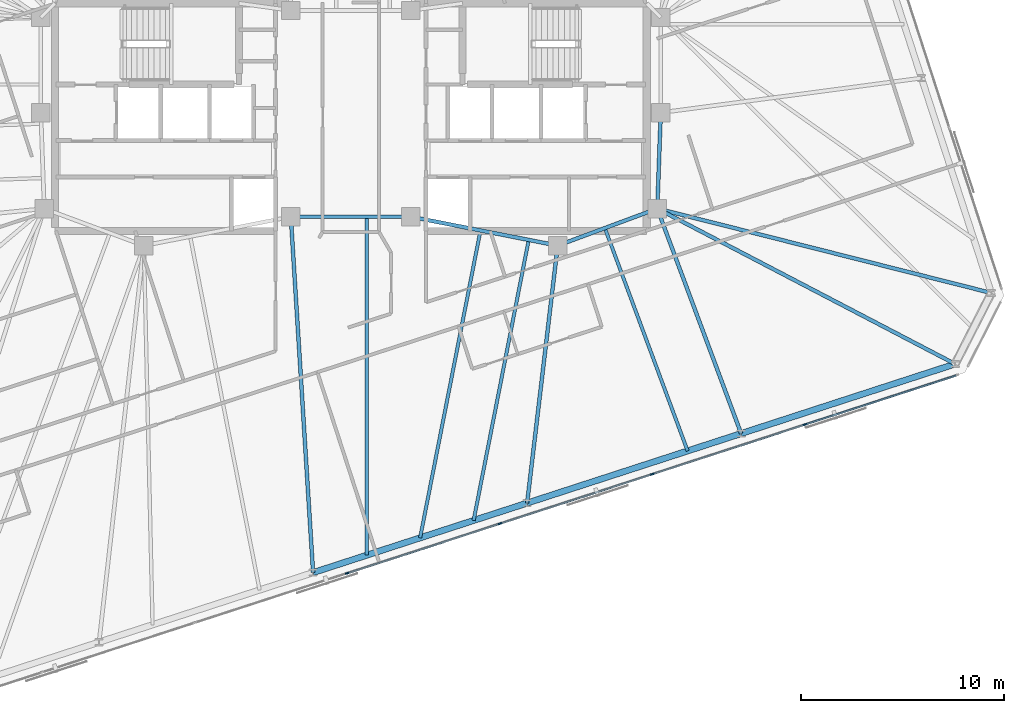
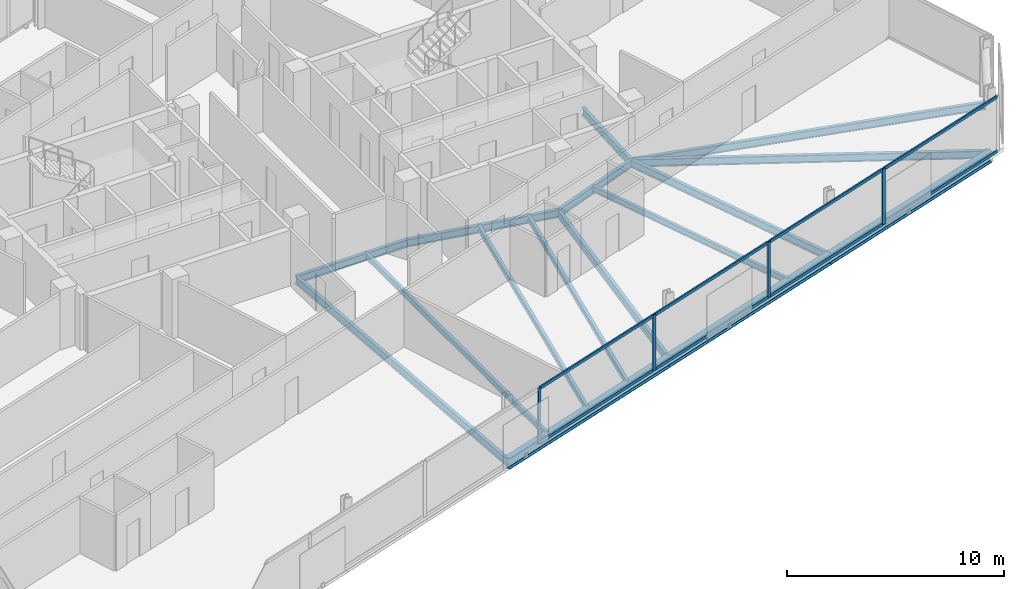
# One storey, part 7 of 19: 16 beams, 12 members, 1 element without a shape of its own.
"""IFC4 building model written with IfcOpenShell, lengths in metres."""

import ifcopenshell
import ifcopenshell.guid

model = None  # the IFC model being written
_history = None  # IfcOwnerHistory: only IFC2X3 demands one
_inside = {}  # id of a spatial element -> (the spatial element, [elements in it])
_under = {}  # id of a project, library or spatial element -> (it, [spatial elements below it])
_declared = {}  # id of a project -> (the project, [libraries it declares])
_typed = {}  # id of a type object -> (the type object, [elements of that type])
_made_of = {}  # id of a material, layer set ... -> (it, [elements and type objects made of it])


def new_model(schema):
    """Start an empty IFC model of exactly this schema.

    Asked for "IFC4X3", IfcOpenShell would pick the latest addendum, in which some entities
    have other attributes; the version numbers below select the first issue.
    IFC2X3 requires an IfcOwnerHistory on every rooted entity: one is made here for all.
    """
    global model, _history
    if schema == "IFC4X3":
        model = ifcopenshell.file(schema_version=(4, 3, 0, 0))
    else:
        model = ifcopenshell.file(schema=schema)
    _inside.clear()
    _under.clear()
    _declared.clear()
    _typed.clear()
    _made_of.clear()
    _history = None
    if model.schema == "IFC2X3":
        org = make("IfcOrganization", Name="unknown")
        user = make(
            "IfcPersonAndOrganization",
            ThePerson=make("IfcPerson", FamilyName="unknown"),
            TheOrganization=org,
        )
        app = make(
            "IfcApplication",
            ApplicationDeveloper=org,
            Version="unknown",
            ApplicationFullName="unknown",
            ApplicationIdentifier="unknown",
        )
        _history = make(
            "IfcOwnerHistory",
            OwningUser=user,
            OwningApplication=app,
            ChangeAction="ADDED",
            CreationDate=0,
        )
    return model


def make(cls, **values):
    """One entity of the class cls with the attributes given. An attribute that is None is left unset."""
    return model.create_entity(
        cls, **{name: value for name, value in values.items() if value is not None}
    )


def rooted(cls, **values):
    """An entity with a GlobalId (a new one), such as an element, a storey or a relation."""
    return make(cls, GlobalId=ifcopenshell.guid.new(), OwnerHistory=_history, **values)


def si_unit(unit_type, name, prefix=None):
    """IfcSIUnit, for example si_unit("LENGTHUNIT", "METRE", prefix="MILLI")."""
    return make("IfcSIUnit", UnitType=unit_type, Prefix=prefix, Name=name)


def assignment(units):
    """IfcUnitAssignment: the units of a project."""
    return None if units is None else make("IfcUnitAssignment", Units=units)


def point(xyz):
    """IfcCartesianPoint."""
    return None if xyz is None else make("IfcCartesianPoint", Coordinates=xyz)


def direction(xyz):
    """IfcDirection."""
    return None if xyz is None else make("IfcDirection", DirectionRatios=xyz)


def frame(location, z_axis=None, x_axis=None):
    """IfcAxis2Placement3D, a coordinate frame: its origin and axes. An axis left out is left unset."""
    return make(
        "IfcAxis2Placement3D",
        Location=point(location),
        Axis=direction(z_axis),
        RefDirection=direction(x_axis),
    )


def frame_2d(location, x_axis=None):
    """IfcAxis2Placement2D, a coordinate frame in the plane: its origin and x axis."""
    return make(
        "IfcAxis2Placement2D", Location=point(location), RefDirection=direction(x_axis)
    )


def origin():
    """The frame at (0, 0, 0) with its axes left unset."""
    return frame((0.0, 0.0, 0.0))


def origin_2d():
    """The frame at (0, 0) in the plane with its x axis left unset."""
    return frame_2d((0.0, 0.0))


def place(relative_to, where):
    """IfcLocalPlacement: puts the frame where relative to a parent placement (None: the world)."""
    return make(
        "IfcLocalPlacement", PlacementRelTo=relative_to, RelativePlacement=where
    )


def context(
    kind, dimensions, precision=None, world=None, true_north=None, identifier=None
):
    """IfcGeometricRepresentationContext, for example the 3D "Model" context."""
    return make(
        "IfcGeometricRepresentationContext",
        ContextIdentifier=identifier,
        ContextType=kind,
        CoordinateSpaceDimension=dimensions,
        Precision=precision,
        WorldCoordinateSystem=world,
        TrueNorth=true_north,
    )


def subcontext(parent, identifier, kind, view, scale=None):
    """IfcGeometricRepresentationSubContext, for example "Body" below "Model"."""
    return make(
        "IfcGeometricRepresentationSubContext",
        ContextIdentifier=identifier,
        ContextType=kind,
        ParentContext=parent,
        TargetScale=scale,
        TargetView=view,
    )


def project(units=None, contexts=None):
    """IfcProject with its units and contexts."""
    return rooted(
        "IfcProject",
        Name="project",
        RepresentationContexts=contexts,
        UnitsInContext=assignment(units),
    )


def spatial(cls, under=None, at=None, **own):
    """A site, building, storey or space (cls), placed at a placement, below another one or the project."""
    s = rooted(cls, ObjectPlacement=at, **own)
    if under is not None:
        _under.setdefault(under.id(), (under, []))[1].append(s)
    return s


def profile(cls, at=None, kind="AREA", **sizes):
    """A parametric profile (cls). Its sizes go by their IFC names, for example OverallWidth=200.0."""
    return make(cls, ProfileType=kind, Position=at, **sizes)


def rectangle(**sizes):
    """IfcRectangleProfileDef."""
    return profile("IfcRectangleProfileDef", **sizes)


def i_section(**sizes):
    """IfcIShapeProfileDef."""
    return profile("IfcIShapeProfileDef", **sizes)


def extrude(swept, where, along, depth):
    """IfcExtrudedAreaSolid: the profile swept, set in the frame where, extruded along a direction by depth."""
    return make(
        "IfcExtrudedAreaSolid",
        SweptArea=swept,
        Position=where,
        ExtrudedDirection=direction(along),
        Depth=depth,
    )


def shape(context_of_items, identifier, shape_type, items):
    """IfcShapeRepresentation: the items that make up one representation, for example the "Body"."""
    return make(
        "IfcShapeRepresentation",
        ContextOfItems=context_of_items,
        RepresentationIdentifier=identifier,
        RepresentationType=shape_type,
        Items=items,
    )


def material(Name=None, Category=None):
    """IfcMaterial."""
    return make("IfcMaterial", Name=Name, Category=Category)


def material_profile(
    of_material, cross_section, Name=None, Category=None, Priority=None
):
    """IfcMaterialProfile: a cross section and its material."""
    return make(
        "IfcMaterialProfile",
        Name=Name,
        Material=of_material,
        Profile=cross_section,
        Priority=Priority,
        Category=Category,
    )


def profile_set(profiles, Name=None, composite=None):
    """IfcMaterialProfileSet."""
    return make(
        "IfcMaterialProfileSet",
        Name=Name,
        MaterialProfiles=profiles,
        CompositeProfile=composite,
    )


def made_of(thing, what):
    """Note that an element or type object is made of a material, layer set ...; save() writes the relation."""
    if what is not None:
        _made_of.setdefault(what.id(), (what, []))[1].append(thing)
    return thing


def type_object(cls, material=None, **own):
    """A type object (cls), such as IfcWallType, which elements share."""
    return made_of(rooted(cls, **own), material)


def element(
    cls,
    number,
    at=None,
    inside=None,
    cuts=None,
    type_object=None,
    material=None,
    context=None,
    identifier="Body",
    shape_type=None,
    held_by="IfcProductDefinitionShape",
    body=None,
    shapes=None,
    **own,
):
    """One element of the class cls, such as IfcWall. Its Tag is "e" and its number.

    at: its placement. inside: the storey or other place that contains it. cuts: it is an
    opening in that element (IfcRelVoidsElement). A single representation is given by context,
    identifier, shape_type and body (its items); several are given by shapes. held_by: the class
    of the entity that holds the representations. save() writes the other relations.
    """
    e = rooted(cls, Tag="e%d" % number, ObjectPlacement=at, **own)
    if body is not None:
        shapes = [shape(context, identifier, shape_type, body)]
    if shapes is not None:
        e.Representation = make(held_by, Representations=shapes)
    if inside is not None:
        _inside.setdefault(inside.id(), (inside, []))[1].append(e)
    if cuts is not None:
        rooted(
            "IfcRelVoidsElement", RelatingBuildingElement=cuts, RelatedOpeningElement=e
        )
    if type_object is not None:
        _typed.setdefault(type_object.id(), (type_object, []))[1].append(e)
    return made_of(e, material)


def aggregate(whole, parts):
    """IfcRelAggregates: a whole, such as a stair, and the parts it consists of."""
    return rooted("IfcRelAggregates", RelatingObject=whole, RelatedObjects=parts)


def save(model, path):
    """Write the relations noted so far, then the file.

    IfcRelAggregates (storeys below a building ...), IfcRelContainedInSpatialStructure (elements
    in a storey), IfcRelDefinesByType, IfcRelAssociatesMaterial and IfcRelDeclares: one each for
    every whole, place, type object, material and project.
    """
    for whole, parts in _under.values():
        aggregate(whole, parts)
    for where, things in _inside.values():
        rooted(
            "IfcRelContainedInSpatialStructure",
            RelatedElements=things,
            RelatingStructure=where,
        )
    for kind, things in _typed.values():
        rooted("IfcRelDefinesByType", RelatedObjects=things, RelatingType=kind)
    for what, things in _made_of.values():
        rooted("IfcRelAssociatesMaterial", RelatedObjects=things, RelatingMaterial=what)
    for by, libraries in _declared.values():
        rooted("IfcRelDeclares", RelatingContext=by, RelatedDefinitions=libraries)
    model.write(path)


model = new_model("IFC4")

# Units and contexts
model_context = context("Model", 3, precision=1e-05, world=origin(), true_north=direction((0.0, 1.0)))
body_context = subcontext(model_context, "Body", "Model", "MODEL_VIEW")
ifc_project = project(units=[si_unit("LENGTHUNIT", "METRE"), si_unit("AREAUNIT", "SQUARE_METRE"), si_unit("VOLUMEUNIT", "CUBIC_METRE"), si_unit("PLANEANGLEUNIT", "RADIAN"), si_unit("MASSUNIT", "GRAM", prefix="KILO")], contexts=[model_context])

# Site, building, storey
site_placement = place(None, origin())
site = spatial("IfcSite", under=ifc_project, at=site_placement, CompositionType="ELEMENT")
building_placement = place(site_placement, origin())
building = spatial("IfcBuilding", under=site, at=building_placement, Name="Menara Jurai Vektor", CompositionType="ELEMENT")
storey_placement = place(building_placement, frame((0.0, 0.0, 210.89990234375)))
storey = spatial("IfcBuildingStorey", under=building, at=storey_placement, Name="L55", CompositionType="ELEMENT", Elevation=210.89990234375)

# Curtain wall, members
ifc_material_1 = material(Name="Anodised Pale Aluminium & Low-E Double Glazing", Category="aluminium")
curtain_wall_type = type_object("IfcCurtainWallType", Name="CW-BLK4", PredefinedType="NOTDEFINED", material=ifc_material_1)
curtain_wall_placement = place(storey_placement, origin())
curtain_wall = element("IfcCurtainWall", 1, at=curtain_wall_placement, inside=storey, type_object=curtain_wall_type, Name="Unitised Curtain Wall L55 F01", PredefinedType="NOTDEFINED")
ifc_material_2 = material(Name="Anodised Pale Aluminium Mullion", Category="aluminium")
ifc_material_profile_1 = material_profile(ifc_material_2, rectangle(XDim=0.080078125, YDim=0.18994140625, at=origin_2d()), Name="ALU MUL 80x190")
ifc_profile_set_1 = profile_set([ifc_material_profile_1], Name="Anodised Pale Aluminium Mullion")
member_type_1 = type_object("IfcMemberType", Name="CW-BLK4-MUL", PredefinedType="MULLION", material=ifc_profile_set_1)
member_1_placement = place(storey_placement, frame((-0.17236328125, -22.4404296875, 0.0), z_axis=(0.0, 0.0, 1.0), x_axis=(-0.309017344167, 0.951056402641, 0.0)))
member_1 = element("IfcMember", 2, at=member_1_placement, type_object=member_type_1, Name="CW-04 mullion 4", PredefinedType="MULLION", context=body_context, shape_type="SweptSolid", body=[
    extrude(rectangle(XDim=0.080078125, YDim=0.18994140625, at=origin_2d()), origin(), (0.0, 0.0, 1.0), 3.125),
])
member_2_placement = place(storey_placement, frame((7.3330078125, -20.001953125, 0.0), z_axis=(0.0, 0.0, 1.0), x_axis=(-0.309017344167, 0.951056402641, 0.0)))
member_2 = element("IfcMember", 3, at=member_2_placement, type_object=member_type_1, Name="CW-04 mullion 5", PredefinedType="MULLION", context=body_context, shape_type="SweptSolid", body=[
    extrude(rectangle(XDim=0.080078125, YDim=0.18994140625, at=origin_2d()), origin(), (0.0, 0.0, 1.0), 3.125),
])
member_3_placement = place(storey_placement, frame((14.838134765625, -17.563232421875, 0.0), z_axis=(0.0, 0.0, 1.0), x_axis=(-0.309017344167, 0.951056402641, 0.0)))
member_3 = element("IfcMember", 4, at=member_3_placement, type_object=member_type_1, Name="CW-04 mullion 6", PredefinedType="MULLION", context=body_context, shape_type="SweptSolid", body=[
    extrude(rectangle(XDim=0.080078125, YDim=0.18994140625, at=origin_2d()), origin(), (0.0, 0.0, 1.0), 3.125),
])
member_4_placement = place(storey_placement, frame((22.34326171875, -15.124755859375, 0.0), z_axis=(0.0, 0.0, 1.0), x_axis=(-0.309017344167, 0.951056402641, 0.0)))
member_4 = element("IfcMember", 5, at=member_4_placement, type_object=member_type_1, Name="CW-04 mullion 7", PredefinedType="MULLION", context=body_context, shape_type="SweptSolid", body=[
    extrude(rectangle(XDim=0.080078125, YDim=0.18994140625, at=origin_2d()), origin(), (0.0, 0.0, 1.0), 3.125),
])
ifc_material_3 = material(Name="Anodised Pale Aluminium Transom", Category="aluminium")
ifc_material_profile_2 = material_profile(ifc_material_3, rectangle(XDim=0.080078125, YDim=0.1650390625, at=origin_2d()), Name="ALU TRN 80x165")
ifc_profile_set_2 = profile_set([ifc_material_profile_2], Name="Anodised Pale Aluminium Transom")
member_type_2 = type_object("IfcMemberType", Name="CW-BLK4-TRN", PredefinedType="USERDEFINED", material=ifc_profile_set_2)
member_5_placement = place(storey_placement, frame((-0.13427734375, -22.427978515625, 0.0400390625), z_axis=(0.951059330237, 0.309008333817, 0.0), x_axis=(-0.309008333817, 0.951059330237, 0.0)))
member_5 = element("IfcMember", 6, at=member_5_placement, type_object=member_type_2, Name="CW-04 transom 4.1", ObjectType="TRANSOM", PredefinedType="USERDEFINED", context=body_context, shape_type="SweptSolid", body=[
    extrude(rectangle(XDim=0.080078125, YDim=0.1650390625, at=origin_2d()), origin(), (0.0, 0.0, 1.0), 7.8115234375),
])
member_6_placement = place(storey_placement, frame((-0.13427734375, -22.427978515625, 3.085205078125), z_axis=(0.951059330237, 0.309008333817, 0.0), x_axis=(-0.309008333817, 0.951059330237, 0.0)))
member_6 = element("IfcMember", 7, at=member_6_placement, type_object=member_type_2, Name="CW-04 transom 4.2", ObjectType="TRANSOM", PredefinedType="USERDEFINED", context=body_context, shape_type="SweptSolid", body=[
    extrude(rectangle(XDim=0.080078125, YDim=0.1650390625, at=origin_2d()), origin(), (0.0, 0.0, 1.0), 7.8115234375),
])
member_7_placement = place(storey_placement, frame((7.37109375, -19.989501953125, 0.0400390625), z_axis=(0.95105634578, 0.309017519167, 0.0), x_axis=(-0.309017519167, 0.95105634578, 0.0)))
member_7 = element("IfcMember", 8, at=member_7_placement, type_object=member_type_2, Name="CW-04 transom 5.1", ObjectType="TRANSOM", PredefinedType="USERDEFINED", context=body_context, shape_type="SweptSolid", body=[
    extrude(rectangle(XDim=0.080078125, YDim=0.1650390625, at=origin_2d()), origin(), (0.0, 0.0, 1.0), 7.811279296875),
])
member_8_placement = place(storey_placement, frame((7.37109375, -19.989501953125, 3.085205078125), z_axis=(0.95105634578, 0.309017519167, 0.0), x_axis=(-0.309017519167, 0.95105634578, 0.0)))
member_8 = element("IfcMember", 9, at=member_8_placement, type_object=member_type_2, Name="CW-04 transom 5.2", ObjectType="TRANSOM", PredefinedType="USERDEFINED", context=body_context, shape_type="SweptSolid", body=[
    extrude(rectangle(XDim=0.080078125, YDim=0.1650390625, at=origin_2d()), origin(), (0.0, 0.0, 1.0), 7.811279296875),
])
member_9_placement = place(storey_placement, frame((14.876220703125, -17.551025390625, 0.0400390625), z_axis=(0.95104715984, 0.309045789099, 0.0), x_axis=(-0.309045789099, 0.95104715984, 0.0)))
member_9 = element("IfcMember", 10, at=member_9_placement, type_object=member_type_2, Name="CW-04 transom 6.1", ObjectType="TRANSOM", PredefinedType="USERDEFINED", context=body_context, shape_type="SweptSolid", body=[
    extrude(rectangle(XDim=0.080078125, YDim=0.1650390625, at=origin_2d()), origin(), (0.0, 0.0, 1.0), 7.811279296875),
])
member_10_placement = place(storey_placement, frame((14.876220703125, -17.551025390625, 3.085205078125), z_axis=(0.95104715984, 0.309045789099, 0.0), x_axis=(-0.309045789099, 0.95104715984, 0.0)))
member_10 = element("IfcMember", 11, at=member_10_placement, type_object=member_type_2, Name="CW-04 transom 6.2", ObjectType="TRANSOM", PredefinedType="USERDEFINED", context=body_context, shape_type="SweptSolid", body=[
    extrude(rectangle(XDim=0.080078125, YDim=0.1650390625, at=origin_2d()), origin(), (0.0, 0.0, 1.0), 7.811279296875),
])
member_11_placement = place(storey_placement, frame((22.38134765625, -15.1123046875, 0.0400390625), z_axis=(0.951062230089, 0.308999408573, 0.0), x_axis=(-0.308999408573, 0.951062230089, 0.0)))
member_11 = element("IfcMember", 12, at=member_11_placement, type_object=member_type_2, Name="CW-04 transom 7.1", ObjectType="TRANSOM", PredefinedType="USERDEFINED", context=body_context, shape_type="SweptSolid", body=[
    extrude(rectangle(XDim=0.080078125, YDim=0.1650390625, at=origin_2d()), origin(), (0.0, 0.0, 1.0), 7.771484375),
])
member_12_placement = place(storey_placement, frame((22.38134765625, -15.1123046875, 3.085205078125), z_axis=(0.951062230089, 0.308999408573, 0.0), x_axis=(-0.308999408573, 0.951062230089, 0.0)))
member_12 = element("IfcMember", 13, at=member_12_placement, type_object=member_type_2, Name="CW-04 transom 7.2", ObjectType="TRANSOM", PredefinedType="USERDEFINED", context=body_context, shape_type="SweptSolid", body=[
    extrude(rectangle(XDim=0.080078125, YDim=0.1650390625, at=origin_2d()), origin(), (0.0, 0.0, 1.0), 7.771484375),
])
aggregate(curtain_wall, [member_1, member_2, member_3, member_4, member_5, member_6, member_7, member_8, member_9, member_10, member_11, member_12])

# Beams
ifc_material_4 = material(Name="Steel S355", Category="steel")
ifc_material_profile_3 = material_profile(ifc_material_4, i_section(OverallWidth=0.18505859375, OverallDepth=0.429931640625, WebThickness=0.010986328125, FlangeThickness=0.01806640625, at=origin_2d()), Name="PG 430x185x76")
ifc_profile_set_3 = profile_set([ifc_material_profile_3], Name="Steel S355")
beam_type_1 = type_object("IfcBeamType", Name="STR-BM-430", PredefinedType="BEAM", material=ifc_profile_set_3)
beam_1_placement = place(storey_placement, frame((15.080078125, -4.5, -0.43994140625), z_axis=(0.035977314146, 0.999352606874, 0.0), x_axis=(-0.999352606874, 0.035977314146, 0.0)))
element("IfcBeam", 14, at=beam_1_placement, inside=storey, type_object=beam_type_1, Name="Core Ring Header Girder L55-CHE-E2", PredefinedType="BEAM", context=body_context, shape_type="SweptSolid", body=[
    extrude(i_section(OverallWidth=0.18505859375, OverallDepth=0.429931640625, WebThickness=0.010986328125, FlangeThickness=0.01806640625, at=origin_2d()), origin(), (0.0, 0.0, 1.0), 4.72314453125),
])
beam_2_placement = place(storey_placement, frame((10.179931640625, -6.320068359375, -0.43994140625), z_axis=(0.937424400887, 0.348188874925, 0.0), x_axis=(-0.348188874925, 0.937424400887, 0.0)))
element("IfcBeam", 15, at=beam_2_placement, inside=storey, type_object=beam_type_1, Name="Core Ring Header Girder L55-CHE-S1", PredefinedType="BEAM", context=body_context, shape_type="SweptSolid", body=[
    extrude(i_section(OverallWidth=0.18505859375, OverallDepth=0.429931640625, WebThickness=0.010986328125, FlangeThickness=0.01806640625, at=origin_2d()), origin(), (0.0, 0.0, 1.0), 5.227294921875),
])
beam_3_placement = place(storey_placement, frame((2.949951171875, -4.89990234375, -0.43994140625), z_axis=(0.981249044334, -0.192744164614, 0.0), x_axis=(0.192744164614, 0.981249044334, 0.0)))
element("IfcBeam", 16, at=beam_3_placement, inside=storey, type_object=beam_type_1, Name="Core Ring Header Girder L55-CHE-S2", PredefinedType="BEAM", context=body_context, shape_type="SweptSolid", body=[
    extrude(i_section(OverallWidth=0.18505859375, OverallDepth=0.429931640625, WebThickness=0.010986328125, FlangeThickness=0.01806640625, at=origin_2d()), origin(), (0.0, 0.0, 1.0), 7.3681640625),
])
beam_4_placement = place(storey_placement, frame((-2.949951171875, -4.89990234375, -0.43994140625), z_axis=(1.0, 0.0, 0.0), x_axis=(0.0, 1.0, 0.0)))
element("IfcBeam", 17, at=beam_4_placement, inside=storey, type_object=beam_type_1, Name="Core Ring Header Girder L55-CC-1", PredefinedType="BEAM", context=body_context, shape_type="SweptSolid", body=[
    extrude(i_section(OverallWidth=0.18505859375, OverallDepth=0.429931640625, WebThickness=0.010986328125, FlangeThickness=0.01806640625, at=origin_2d()), origin(), (0.0, 0.0, 1.0), 5.89990234375),
])
beam_5_placement = place(storey_placement, frame((-1.854248046875, -22.40869140625, -0.43994140625), z_axis=(-0.062457995419, 0.998047593458, 0.0), x_axis=(-0.998047593458, -0.062457995419, 0.0)))
element("IfcBeam", 18, at=beam_5_placement, inside=storey, type_object=beam_type_1, Name="Radial Floor Girder L55-S3", PredefinedType="BEAM", context=body_context, shape_type="SweptSolid", body=[
    extrude(i_section(OverallWidth=0.18505859375, OverallDepth=0.429931640625, WebThickness=0.010986328125, FlangeThickness=0.01806640625, at=origin_2d()), origin(), (0.0, 0.0, 1.0), 17.54296875),
])
beam_6_placement = place(storey_placement, frame((8.675048828125, -18.987548828125, -0.43994140625), z_axis=(0.117969360513, 0.99301723549, 0.0), x_axis=(-0.99301723549, 0.117969360513, 0.0)))
element("IfcBeam", 19, at=beam_6_placement, inside=storey, type_object=beam_type_1, Name="Radial Floor Girder L55-S4", PredefinedType="BEAM", context=body_context, shape_type="SweptSolid", body=[
    extrude(i_section(OverallWidth=0.18505859375, OverallDepth=0.429931640625, WebThickness=0.010986328125, FlangeThickness=0.01806640625, at=origin_2d()), origin(), (0.0, 0.0, 1.0), 12.756591796875),
])
beam_7_placement = place(storey_placement, frame((19.204345703125, -15.56640625, -0.43994140625), z_axis=(-0.349219718154, 0.93704086808, 0.0), x_axis=(-0.93704086808, -0.349219718154, 0.0)))
element("IfcBeam", 20, at=beam_7_placement, inside=storey, type_object=beam_type_1, Name="Radial Floor Girder L55-S5", PredefinedType="BEAM", context=body_context, shape_type="SweptSolid", body=[
    extrude(i_section(OverallWidth=0.18505859375, OverallDepth=0.429931640625, WebThickness=0.010986328125, FlangeThickness=0.01806640625, at=origin_2d()), origin(), (0.0, 0.0, 1.0), 11.81005859375),
])
beam_8_placement = place(storey_placement, frame((29.7333984375, -12.14501953125, -0.43994140625), z_axis=(-0.886589587068, 0.462556919851, 0.0), x_axis=(-0.462556919851, -0.886589587068, 0.0)))
element("IfcBeam", 21, at=beam_8_placement, inside=storey, type_object=beam_type_1, Name="Radial Floor Girder L55-S6", PredefinedType="BEAM", context=body_context, shape_type="SweptSolid", body=[
    extrude(i_section(OverallWidth=0.18505859375, OverallDepth=0.429931640625, WebThickness=0.010986328125, FlangeThickness=0.01806640625, at=origin_2d()), origin(), (0.0, 0.0, 1.0), 16.52783203125),
])
beam_9_placement = place(storey_placement, frame((31.513427734375, -8.652099609375, -0.43994140625), z_axis=(-0.969531956771, 0.244964864418, 0.0), x_axis=(-0.244964864418, -0.969531956771, 0.0)))
element("IfcBeam", 22, at=beam_9_placement, inside=storey, type_object=beam_type_1, Name="Radial Floor Girder L55-E1", PredefinedType="BEAM", context=body_context, shape_type="SweptSolid", body=[
    extrude(i_section(OverallWidth=0.18505859375, OverallDepth=0.429931640625, WebThickness=0.010986328125, FlangeThickness=0.01806640625, at=origin_2d()), origin(), (0.0, 0.0, 1.0), 16.94970703125),
])
ifc_material_profile_4 = material_profile(ifc_material_4, i_section(OverallWidth=0.1650390625, OverallDepth=0.330078125, WebThickness=0.009033203125, FlangeThickness=0.013916015625, at=origin_2d()), Name="PG 330x165x46")
ifc_profile_set_4 = profile_set([ifc_material_profile_4], Name="Steel S355")
beam_type_2 = type_object("IfcBeamType", Name="STR-JS-330", PredefinedType="JOIST", material=ifc_profile_set_4)
beam_10_placement = place(storey_placement, frame((0.778076171875, -21.55322265625, -0.389892578125), z_axis=(0.0, 1.0, 0.0), x_axis=(-1.0, 0.0, 0.0)))
element("IfcBeam", 23, at=beam_10_placement, inside=storey, type_object=beam_type_2, Name="Radial Secondary Floor Joist L55-JS05", PredefinedType="JOIST", context=body_context, shape_type="SweptSolid", body=[
    extrude(i_section(OverallWidth=0.1650390625, OverallDepth=0.330078125, WebThickness=0.009033203125, FlangeThickness=0.013916015625, at=origin_2d()), origin(), (0.0, 0.0, 1.0), 16.6533203125),
])
beam_11_placement = place(storey_placement, frame((3.410400390625, -20.697998046875, -0.389892578125), z_axis=(0.192721610081, 0.981253474393, 0.0), x_axis=(-0.981253474393, 0.192721610081, 0.0)))
element("IfcBeam", 24, at=beam_11_placement, inside=storey, type_object=beam_type_2, Name="Radial Secondary Floor Joist L55-JS06", PredefinedType="JOIST", context=body_context, shape_type="SweptSolid", body=[
    extrude(i_section(OverallWidth=0.1650390625, OverallDepth=0.330078125, WebThickness=0.009033203125, FlangeThickness=0.013916015625, at=origin_2d()), origin(), (0.0, 0.0, 1.0), 15.413330078125),
])
beam_12_placement = place(storey_placement, frame((6.042724609375, -19.8427734375, -0.389892578125), z_axis=(0.192720535629, 0.981253685418, 0.0), x_axis=(-0.981253685418, 0.192720535629, 0.0)))
element("IfcBeam", 25, at=beam_12_placement, inside=storey, type_object=beam_type_2, Name="Radial Secondary Floor Joist L55-JS07", PredefinedType="JOIST", context=body_context, shape_type="SweptSolid", body=[
    extrude(i_section(OverallWidth=0.1650390625, OverallDepth=0.330078125, WebThickness=0.009033203125, FlangeThickness=0.013916015625, at=origin_2d()), origin(), (0.0, 0.0, 1.0), 14.066650390625),
])
beam_13_placement = place(storey_placement, frame((16.572021484375, -16.421630859375, -0.389892578125), z_axis=(-0.348179715909, 0.937427802782, 0.0), x_axis=(-0.937427802782, -0.348179715909, 0.0)))
element("IfcBeam", 26, at=beam_13_placement, inside=storey, type_object=beam_type_2, Name="Radial Secondary Floor Joist L55-JS08", PredefinedType="JOIST", context=body_context, shape_type="SweptSolid", body=[
    extrude(i_section(OverallWidth=0.1650390625, OverallDepth=0.330078125, WebThickness=0.009033203125, FlangeThickness=0.013916015625, at=origin_2d()), origin(), (0.0, 0.0, 1.0), 11.695068359375),
])
ifc_material_profile_5 = material_profile(ifc_material_4, i_section(OverallWidth=0.306884765625, OverallDepth=0.6201171875, WebThickness=0.013916015625, FlangeThickness=0.02392578125, FilletRadius=0.01708984375, at=origin_2d()), Name="UKB 610x305x179")
ifc_profile_set_5 = profile_set([ifc_material_profile_5], Name="Steel S355")
beam_type_3 = type_object("IfcBeamType", Name="STR-SP-610", PredefinedType="SPANDREL", material=ifc_profile_set_5)
for number, where, z_axis, x_axis, name in (
    (27, (-1.854248046875, -22.40869140625, -0.534912109375), (0.951057401967, 0.309014268544, 0.0), (-0.309014268544, 0.951057401967, 0.0), "Exoskeleton Spandrel Beam L55-03"),
    (28, (8.675048828125, -18.987548828125, -0.534912109375), (0.951057401967, 0.309014268544, 0.0), (-0.309014268544, 0.951057401967, 0.0), "Exoskeleton Spandrel Beam L55-04"),
    (29, (19.204345703125, -15.56640625, -0.534912109375), (0.951048814879, 0.309040695892, 0.0), (-0.309040695892, 0.951048814879, 0.0), "Exoskeleton Spandrel Beam L55-05"),
):
    element("IfcBeam", number, at=place(storey_placement, frame(where, z_axis=z_axis, x_axis=x_axis)), inside=storey, type_object=beam_type_3, Name=name, PredefinedType="SPANDREL", context=body_context, shape_type="SweptSolid", body=[
        extrude(i_section(OverallWidth=0.306884765625, OverallDepth=0.6201171875, WebThickness=0.013916015625, FlangeThickness=0.02392578125, FilletRadius=0.01708984375, at=origin_2d()), origin(), (0.0, 0.0, 1.0), 11.071044921875),
    ])

save(model, "model.ifc")
